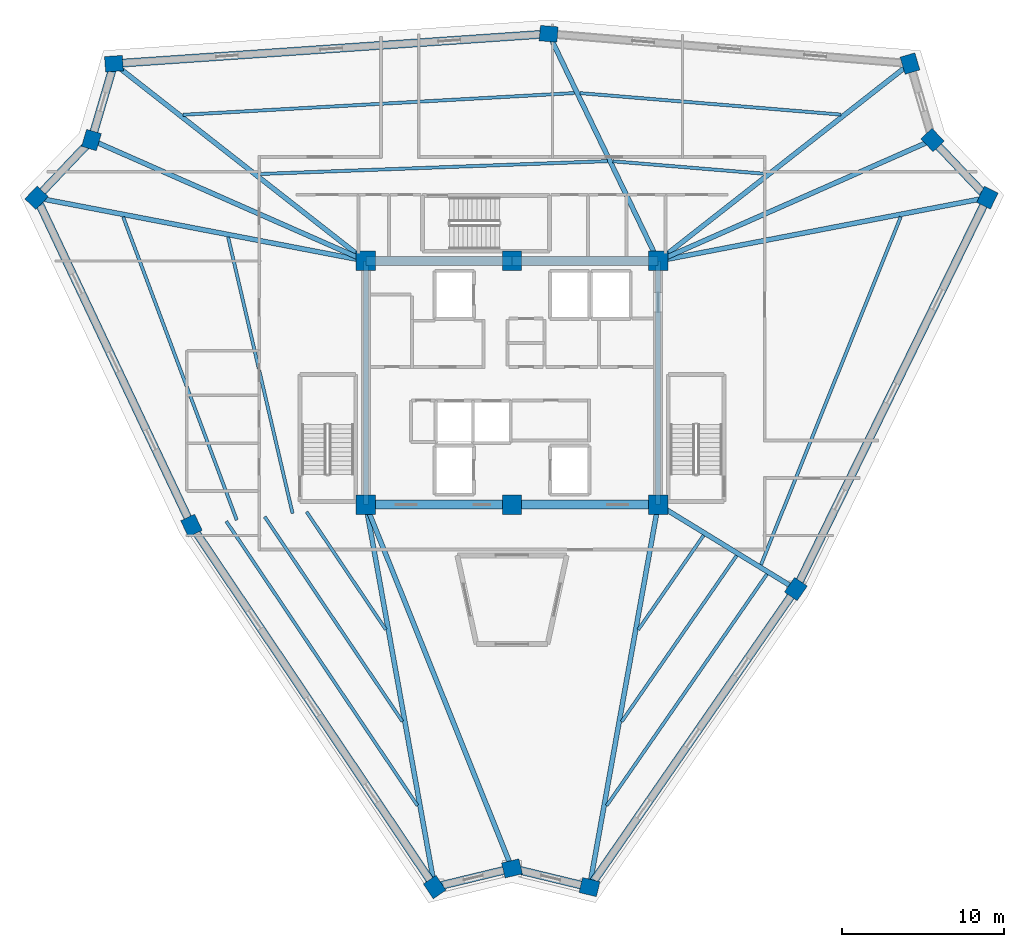
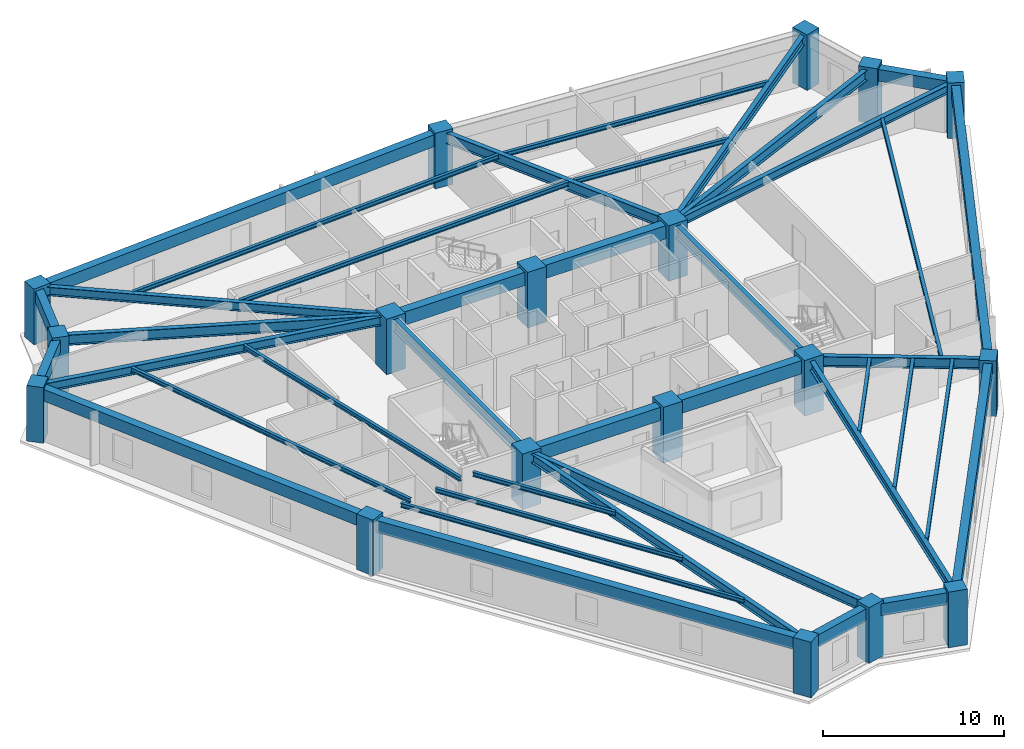
# One storey, part 1 of 9: 40 beams, 18 columns.
"""IFC4 building model written with IfcOpenShell, lengths in metres."""

from ifc_helpers import new_model, si_unit, direction, frame, origin, origin_2d, place, context, subcontext, project, spatial, rectangle, i_section, extrude, source, transform, mapped, material, material_profile, profile_set, type_object, element, save


model = new_model("IFC4")

# Units and contexts
model_context = context("Model", 3, precision=1e-05, world=origin(), true_north=direction((0.0, 1.0)))
body_context = subcontext(model_context, "Body", "Model", "MODEL_VIEW")
ifc_project = project(units=[si_unit("LENGTHUNIT", "METRE"), si_unit("AREAUNIT", "SQUARE_METRE"), si_unit("VOLUMEUNIT", "CUBIC_METRE"), si_unit("PLANEANGLEUNIT", "RADIAN"), si_unit("MASSUNIT", "GRAM", prefix="KILO")], contexts=[model_context])

# Site, building, storey
site_placement = place(None, origin())
site = spatial("IfcSite", under=ifc_project, at=site_placement, CompositionType="ELEMENT")
building_placement = place(site_placement, origin())
building = spatial("IfcBuilding", under=site, at=building_placement, Name="Liaohun Quay Tower", CompositionType="ELEMENT")
storey_placement = place(building_placement, frame((0.0, 0.0, 328.5)))
storey = spatial("IfcBuildingStorey", under=building, at=storey_placement, Name="L85", CompositionType="ELEMENT", Elevation=328.5)

# Columns
ifc_material_1 = material(Name="Concrete C50", Category="concrete")
ifc_material_profile_1 = material_profile(ifc_material_1, rectangle(XDim=1.199951171875, YDim=1.199951171875, at=origin_2d()), Name="RC1200x1200")
ifc_profile_set_1 = profile_set([ifc_material_profile_1], Name="Concrete C50")
column_type_1 = type_object("IfcColumnType", Name="COL-CC-Z4", PredefinedType="COLUMN", material=ifc_profile_set_1)
shared_shape_1 = source(origin(), body_context, "Body", "SweptSolid", [
    extrude(rectangle(XDim=1.199951171875, YDim=1.199951171875, at=origin_2d()), origin(), (0.0, 0.0, 1.0), 3.75),
])
for number, where, z_axis, x_axis, name in (
    (1, (51.0, 46.5, 0.0), (0.0, 0.0, 1.0), (1.0, 0.0, 0.0), "L85 Core Column CC1"),
    (2, (60.0, 46.5, 0.0), (0.0, 0.0, 1.0), (1.0, 0.0, 0.0), "L85 Core Column CC2"),
    (3, (69.0, 46.5, 0.0), (0.0, 0.0, 1.0), (1.0, 0.0, 0.0), "L85 Core Column CC3"),
    (4, (69.0, 61.5, 0.0), (0.0, 0.0, 1.0), (1.0, 0.0, 0.0), "L85 Core Column CC4"),
    (5, (60.0, 61.5, 0.0), (0.0, 0.0, 1.0), (1.0, 0.0, 0.0), "L85 Core Column CC5"),
    (6, (51.0, 61.5, 0.0), (0.0, 0.0, 1.0), (1.0, 0.0, 0.0), "L85 Core Column CC6"),
):
    element("IfcColumn", number, at=place(storey_placement, frame(where, z_axis=z_axis, x_axis=x_axis)), inside=storey, type_object=column_type_1, Name=name, PredefinedType="COLUMN", context=body_context, shape_type="MappedRepresentation", body=[
        mapped(shared_shape_1, transform((0.0, 0.0, 0.0), x_axis=(1.0, 0.0, 0.0), y_axis=(0.0, 1.0, 0.0), z_axis=(0.0, 0.0, 1.0), scale=1.0)),
    ])
ifc_material_profile_2 = material_profile(ifc_material_1, rectangle(XDim=1.10009765625, YDim=0.949951171875, at=origin_2d()), Name="RC1100x950")
ifc_profile_set_2 = profile_set([ifc_material_profile_2], Name="Concrete C50")
column_type_2 = type_object("IfcColumnType", Name="COL-PIER-Z4", PredefinedType="COLUMN", material=ifc_profile_set_2)
shared_shape_2 = source(origin(), body_context, "Body", "SweptSolid", [
    extrude(rectangle(XDim=1.10009765625, YDim=0.949951171875, at=origin_2d()), origin(), (0.0, 0.0, 1.0), 3.75),
])
for number, where, z_axis, x_axis, name in (
    (7, (55.238037109375, 22.9541015625, 0.0), (0.0, 0.0, 1.0), (-0.558179625922, 0.829720136676, 0.0), "L85 Perimeter Pier PC01"),
    (8, (40.264892578125, 45.212890625, 0.0), (0.0, 0.0, 1.0), (-0.427357863387, 0.904082549661, 0.0), "L85 Perimeter Pier PC02"),
    (9, (30.72705078125, 65.39306640625, 0.0), (0.0, 0.0, 1.0), (0.68936671806, 0.724412539946, 0.0), "L85 Perimeter Pier PC03"),
    (10, (34.10888671875, 68.947998046875, 0.0), (0.0, 0.0, 1.0), (0.282676303383, 0.959215360337, 0.0), "L85 Perimeter Pier PC04"),
    (11, (35.493896484375, 73.64697265625, 0.0), (0.0, 0.0, 1.0), (0.997648529354, 0.068537667585, 0.0), "L85 Perimeter Pier PC05"),
    (12, (62.258056640625, 75.485107421875, 0.0), (0.0, 0.0, 1.0), (-0.996637386818, 0.08193850863, 0.0), "L85 Perimeter Pier PC06"),
    (13, (84.5029296875, 73.655029296875, 0.0), (0.0, 0.0, 1.0), (-0.282676303383, 0.959215360337, 0.0), "L85 Perimeter Pier PC07"),
    (14, (85.89111328125, 68.947998046875, 0.0), (0.0, 0.0, 1.0), (-0.68936671806, 0.724412539946, 0.0), "L85 Perimeter Pier PC08"),
    (15, (89.26806640625, 65.39892578125, 0.0), (0.0, 0.0, 1.0), (0.439468903432, 0.898257804261, 0.0), "L85 Perimeter Pier PC09"),
    (16, (77.47705078125, 41.302001953125, 0.0), (0.0, 0.0, 1.0), (0.569279523431, 0.822144041031, 0.0), "L85 Perimeter Pier PC10"),
    (17, (64.77001953125, 22.951904296875, 0.0), (0.0, 0.0, 1.0), (-0.972043021443, 0.234802820391, 0.0), "L85 Perimeter Pier PC11"),
    (18, (60.0, 24.10400390625, 0.0), (0.0, 0.0, 1.0), (0.972043021443, 0.234802820391, 0.0), "L85 Perimeter Pier PC12"),
):
    element("IfcColumn", number, at=place(storey_placement, frame(where, z_axis=z_axis, x_axis=x_axis)), inside=storey, type_object=column_type_2, Name=name, PredefinedType="COLUMN", context=body_context, shape_type="MappedRepresentation", body=[
        mapped(shared_shape_2, transform((0.0, 0.0, 0.0), x_axis=(1.0, 0.0, 0.0), y_axis=(0.0, 1.0, 0.0), z_axis=(0.0, 0.0, 1.0), scale=1.0)),
    ])

# Beams
ifc_material_2 = material(Name="Steel Q355D", Category="steel")
ifc_material_profile_3 = material_profile(ifc_material_2, i_section(OverallWidth=0.300048828125, OverallDepth=0.800048828125, WebThickness=0.013916015625, FlangeThickness=0.02587890625, at=origin_2d()), Name="HN800x300x14x26")
ifc_profile_set_3 = profile_set([ifc_material_profile_3], Name="Steel Q355D")
beam_type_1 = type_object("IfcBeamType", Name="BM-RAD-M1", PredefinedType="BEAM", material=ifc_profile_set_3)
shared_shape_3 = source(origin(), body_context, "Body", "SweptSolid", [
    extrude(i_section(OverallWidth=0.300048828125, OverallDepth=0.800048828125, WebThickness=0.013916015625, FlangeThickness=0.02587890625, at=origin_2d()), origin(), (0.0, 0.0, 1.0), 15.0),
])
for number, where, z_axis, x_axis, name in (
    (19, (69.0, 46.5, 3.169921875), (0.0, 1.0, 0.0), (-1.0, 0.0, 0.0), "L85 Core Coupling/Ring Beam CC3-CC4"),
    (20, (51.0, 61.5, 3.169921875), (0.0, -1.0, 0.0), (1.0, 0.0, 0.0), "L85 Core Coupling/Ring Beam CC6-CC1"),
):
    element("IfcBeam", number, at=place(storey_placement, frame(where, z_axis=z_axis, x_axis=x_axis)), inside=storey, type_object=beam_type_1, Name=name, PredefinedType="BEAM", context=body_context, shape_type="MappedRepresentation", body=[
        mapped(shared_shape_3, transform((0.0, 0.0, 0.0), x_axis=(1.0, 0.0, 0.0), y_axis=(0.0, 1.0, 0.0), z_axis=(0.0, 0.0, 1.0), scale=1.0)),
    ])
ifc_material_3 = material(Name="Concrete C55", Category="concrete")
ifc_material_profile_4 = material_profile(ifc_material_3, rectangle(XDim=0.550048828125, YDim=0.89990234375, at=origin_2d()), Name="RC550x900")
ifc_profile_set_4 = profile_set([ifc_material_profile_4], Name="Concrete C55")
beam_type_2 = type_object("IfcBeamType", Name="BM-CPL-2", PredefinedType="LINTEL", material=ifc_profile_set_4)
shared_shape_4 = source(origin(), body_context, "Body", "SweptSolid", [
    extrude(rectangle(XDim=0.550048828125, YDim=0.89990234375, at=origin_2d()), origin(), (0.0, 0.0, 1.0), 9.0),
])
for number, where, z_axis, x_axis, name in (
    (21, (51.0, 46.5, 3.1201171875), (1.0, 0.0, 0.0), (0.0, 1.0, 0.0), "L85 Core Coupling/Ring Beam CC1-CC2"),
    (22, (60.0, 46.5, 3.1201171875), (1.0, 0.0, 0.0), (0.0, 1.0, 0.0), "L85 Core Coupling/Ring Beam CC2-CC3"),
    (23, (69.0, 61.5, 3.1201171875), (-1.0, 0.0, 0.0), (0.0, -1.0, 0.0), "L85 Core Coupling/Ring Beam CC4-CC5"),
    (24, (60.0, 61.5, 3.1201171875), (-1.0, 0.0, 0.0), (0.0, -1.0, 0.0), "L85 Core Coupling/Ring Beam CC5-CC6"),
):
    element("IfcBeam", number, at=place(storey_placement, frame(where, z_axis=z_axis, x_axis=x_axis)), inside=storey, type_object=beam_type_2, Name=name, PredefinedType="LINTEL", context=body_context, shape_type="MappedRepresentation", body=[
        mapped(shared_shape_4, transform((0.0, 0.0, 0.0), x_axis=(1.0, 0.0, 0.0), y_axis=(0.0, 1.0, 0.0), z_axis=(0.0, 0.0, 1.0), scale=1.0)),
    ])
ifc_material_profile_5 = material_profile(ifc_material_2, i_section(OverallWidth=0.300048828125, OverallDepth=0.587890625, WebThickness=0.011962890625, FlangeThickness=0.02001953125, at=origin_2d()), Name="HM588x300x12x20")
ifc_profile_set_5 = profile_set([ifc_material_profile_5], Name="Steel Q355D")
beam_type_3 = type_object("IfcBeamType", Name="BM-RAD-U2", PredefinedType="BEAM", material=ifc_profile_set_5)
shared_shape_5 = source(origin(), body_context, "Body", "SweptSolid", [
    extrude(i_section(OverallWidth=0.300048828125, OverallDepth=0.587890625, WebThickness=0.011962890625, FlangeThickness=0.02001953125, at=origin_2d()), origin(), (0.0, 0.0, 1.0), 23.92431640625),
])
beam_1_placement = place(storey_placement, frame((51.0, 46.5, 3.27587890625), z_axis=(0.177143904593, -0.9841849608, 0.0), x_axis=(0.9841849608, 0.177143904593, 0.0)))
element("IfcBeam", 25, at=beam_1_placement, inside=storey, type_object=beam_type_3, Name="L85 Radial Primary Girder CC1-PC01", PredefinedType="BEAM", context=body_context, shape_type="MappedRepresentation", body=[
    mapped(shared_shape_5, transform((0.0, 0.0, 0.0), x_axis=(1.0, 0.0, 0.0), y_axis=(0.0, 1.0, 0.0), z_axis=(0.0, 0.0, 1.0), scale=1.0)),
])
shared_shape_6 = source(origin(), body_context, "Body", "SweptSolid", [
    extrude(i_section(OverallWidth=0.300048828125, OverallDepth=0.587890625, WebThickness=0.011962890625, FlangeThickness=0.02001953125, at=origin_2d()), origin(), (0.0, 0.0, 1.0), 20.643310546875),
])
beam_2_placement = place(storey_placement, frame((51.0, 61.5, 3.27587890625), z_axis=(-0.982056519371, 0.188586830823, 0.0), x_axis=(-0.188586830823, -0.982056519371, 0.0)))
element("IfcBeam", 26, at=beam_2_placement, inside=storey, type_object=beam_type_3, Name="L85 Radial Primary Girder CC6-PC03", PredefinedType="BEAM", context=body_context, shape_type="MappedRepresentation", body=[
    mapped(shared_shape_6, transform((0.0, 0.0, 0.0), x_axis=(1.0, 0.0, 0.0), y_axis=(0.0, 1.0, 0.0), z_axis=(0.0, 0.0, 1.0), scale=1.0)),
])
ifc_material_profile_6 = material_profile(ifc_material_2, i_section(OverallWidth=0.300048828125, OverallDepth=0.699951171875, WebThickness=0.012939453125, FlangeThickness=0.02392578125, at=origin_2d()), Name="HN700x300x13x24")
ifc_profile_set_6 = profile_set([ifc_material_profile_6], Name="Steel Q355D")
beam_type_4 = type_object("IfcBeamType", Name="BM-RAD-U1", PredefinedType="BEAM", material=ifc_profile_set_6)
shared_shape_7 = source(origin(), body_context, "Body", "SweptSolid", [
    extrude(i_section(OverallWidth=0.300048828125, OverallDepth=0.699951171875, WebThickness=0.012939453125, FlangeThickness=0.02392578125, at=origin_2d()), origin(), (0.0, 0.0, 1.0), 18.460205078125),
])
for number, where, z_axis, x_axis, name in (
    (27, (51.0, 61.5, 3.219970703125), (-0.91499707752, 0.403460466625, 0.0), (-0.403460466625, -0.91499707752, 0.0), "L85 Radial Primary Girder CC6-PC04"),
    (28, (69.0, 61.5, 3.219970703125), (0.91499707752, 0.403460466625, 0.0), (-0.403460466625, 0.91499707752, 0.0), "L85 Radial Primary Girder CC4-PC08"),
):
    element("IfcBeam", number, at=place(storey_placement, frame(where, z_axis=z_axis, x_axis=x_axis)), inside=storey, type_object=beam_type_4, Name=name, PredefinedType="BEAM", context=body_context, shape_type="MappedRepresentation", body=[
        mapped(shared_shape_7, transform((0.0, 0.0, 0.0), x_axis=(1.0, 0.0, 0.0), y_axis=(0.0, 1.0, 0.0), z_axis=(0.0, 0.0, 1.0), scale=1.0)),
    ])
shared_shape_8 = source(origin(), body_context, "Body", "SweptSolid", [
    extrude(i_section(OverallWidth=0.300048828125, OverallDepth=0.587890625, WebThickness=0.011962890625, FlangeThickness=0.02001953125, at=origin_2d()), origin(), (0.0, 0.0, 1.0), 19.697509765625),
])
beam_3_placement = place(storey_placement, frame((51.0, 61.5, 3.27587890625), z_axis=(-0.78721511685, 0.616678489817, 0.0), x_axis=(-0.616678489817, -0.78721511685, 0.0)))
element("IfcBeam", 29, at=beam_3_placement, inside=storey, type_object=beam_type_3, Name="L85 Radial Primary Girder CC6-PC05", PredefinedType="BEAM", context=body_context, shape_type="MappedRepresentation", body=[
    mapped(shared_shape_8, transform((0.0, 0.0, 0.0), x_axis=(1.0, 0.0, 0.0), y_axis=(0.0, 1.0, 0.0), z_axis=(0.0, 0.0, 1.0), scale=1.0)),
])
shared_shape_9 = source(origin(), body_context, "Body", "SweptSolid", [
    extrude(i_section(OverallWidth=0.300048828125, OverallDepth=0.699951171875, WebThickness=0.012939453125, FlangeThickness=0.02392578125, at=origin_2d()), origin(), (0.0, 0.0, 1.0), 15.525390625),
])
beam_4_placement = place(storey_placement, frame((69.0, 61.5, 3.219970703125), z_axis=(-0.43425338855, 0.900790760684, 0.0), x_axis=(-0.900790760684, -0.43425338855, 0.0)))
element("IfcBeam", 30, at=beam_4_placement, inside=storey, type_object=beam_type_4, Name="L85 Radial Primary Girder CC4-PC06", PredefinedType="BEAM", context=body_context, shape_type="MappedRepresentation", body=[
    mapped(shared_shape_9, transform((0.0, 0.0, 0.0), x_axis=(1.0, 0.0, 0.0), y_axis=(0.0, 1.0, 0.0), z_axis=(0.0, 0.0, 1.0), scale=1.0)),
])
shared_shape_10 = source(origin(), body_context, "Body", "SweptSolid", [
    extrude(i_section(OverallWidth=0.300048828125, OverallDepth=0.587890625, WebThickness=0.011962890625, FlangeThickness=0.02001953125, at=origin_2d()), origin(), (0.0, 0.0, 1.0), 19.699951171875),
])
beam_5_placement = place(storey_placement, frame((69.0, 61.5, 3.27587890625), z_axis=(0.786955241021, 0.617010087948, 0.0), x_axis=(-0.617010087948, 0.786955241021, 0.0)))
element("IfcBeam", 31, at=beam_5_placement, inside=storey, type_object=beam_type_3, Name="L85 Radial Primary Girder CC4-PC07", PredefinedType="BEAM", context=body_context, shape_type="MappedRepresentation", body=[
    mapped(shared_shape_10, transform((0.0, 0.0, 0.0), x_axis=(1.0, 0.0, 0.0), y_axis=(0.0, 1.0, 0.0), z_axis=(0.0, 0.0, 1.0), scale=1.0)),
])
shared_shape_11 = source(origin(), body_context, "Body", "SweptSolid", [
    extrude(i_section(OverallWidth=0.300048828125, OverallDepth=0.587890625, WebThickness=0.011962890625, FlangeThickness=0.02001953125, at=origin_2d()), origin(), (0.0, 0.0, 1.0), 20.6396484375),
])
beam_6_placement = place(storey_placement, frame((69.0, 61.5, 3.27587890625), z_axis=(0.981995477195, 0.188904427604, 0.0), x_axis=(-0.188904427604, 0.981995477195, 0.0)))
element("IfcBeam", 32, at=beam_6_placement, inside=storey, type_object=beam_type_3, Name="L85 Radial Primary Girder CC4-PC09", PredefinedType="BEAM", context=body_context, shape_type="MappedRepresentation", body=[
    mapped(shared_shape_11, transform((0.0, 0.0, 0.0), x_axis=(1.0, 0.0, 0.0), y_axis=(0.0, 1.0, 0.0), z_axis=(0.0, 0.0, 1.0), scale=1.0)),
])
shared_shape_12 = source(origin(), body_context, "Body", "SweptSolid", [
    extrude(i_section(OverallWidth=0.300048828125, OverallDepth=0.699951171875, WebThickness=0.012939453125, FlangeThickness=0.02392578125, at=origin_2d()), origin(), (0.0, 0.0, 1.0), 9.94384765625),
])
beam_7_placement = place(storey_placement, frame((69.0, 46.5, 3.219970703125), z_axis=(0.852494316391, -0.522736492433, 0.0), x_axis=(0.522736492433, 0.852494316391, 0.0)))
element("IfcBeam", 33, at=beam_7_placement, inside=storey, type_object=beam_type_4, Name="L85 Radial Primary Girder CC3-PC10", PredefinedType="BEAM", context=body_context, shape_type="MappedRepresentation", body=[
    mapped(shared_shape_12, transform((0.0, 0.0, 0.0), x_axis=(1.0, 0.0, 0.0), y_axis=(0.0, 1.0, 0.0), z_axis=(0.0, 0.0, 1.0), scale=1.0)),
])
shared_shape_13 = source(origin(), body_context, "Body", "SweptSolid", [
    extrude(i_section(OverallWidth=0.300048828125, OverallDepth=0.587890625, WebThickness=0.011962890625, FlangeThickness=0.02001953125, at=origin_2d()), origin(), (0.0, 0.0, 1.0), 23.925048828125),
])
beam_8_placement = place(storey_placement, frame((69.0, 46.5, 3.27587890625), z_axis=(-0.176801703683, -0.984246492285, 0.0), x_axis=(0.984246492285, -0.176801703683, 0.0)))
element("IfcBeam", 34, at=beam_8_placement, inside=storey, type_object=beam_type_3, Name="L85 Radial Primary Girder CC3-PC11", PredefinedType="BEAM", context=body_context, shape_type="MappedRepresentation", body=[
    mapped(shared_shape_13, transform((0.0, 0.0, 0.0), x_axis=(1.0, 0.0, 0.0), y_axis=(0.0, 1.0, 0.0), z_axis=(0.0, 0.0, 1.0), scale=1.0)),
])
shared_shape_14 = source(origin(), body_context, "Body", "SweptSolid", [
    extrude(i_section(OverallWidth=0.300048828125, OverallDepth=0.699951171875, WebThickness=0.012939453125, FlangeThickness=0.02392578125, at=origin_2d()), origin(), (0.0, 0.0, 1.0), 24.13671875),
])
beam_9_placement = place(storey_placement, frame((51.0, 46.5, 3.219970703125), z_axis=(0.372876046209, -0.927881163816, 0.0), x_axis=(0.927881163816, 0.372876046209, 0.0)))
element("IfcBeam", 35, at=beam_9_placement, inside=storey, type_object=beam_type_4, Name="L85 Radial Primary Girder CC1-PC12", PredefinedType="BEAM", context=body_context, shape_type="MappedRepresentation", body=[
    mapped(shared_shape_14, transform((0.0, 0.0, 0.0), x_axis=(1.0, 0.0, 0.0), y_axis=(0.0, 1.0, 0.0), z_axis=(0.0, 0.0, 1.0), scale=1.0)),
])
ifc_material_profile_7 = material_profile(ifc_material_2, i_section(OverallWidth=0.199951171875, OverallDepth=0.2939453125, WebThickness=0.008056640625, FlangeThickness=0.011962890625, at=origin_2d()), Name="HM294x200x8x12")
ifc_profile_set_7 = profile_set([ifc_material_profile_7], Name="Steel Q355D")
beam_type_5 = type_object("IfcBeamType", Name="BM-SEC-J4", PredefinedType="JOIST", material=ifc_profile_set_7)
shared_shape_15 = source(origin(), body_context, "Body", "SweptSolid", [
    extrude(i_section(OverallWidth=0.199951171875, OverallDepth=0.2939453125, WebThickness=0.008056640625, FlangeThickness=0.011962890625, at=origin_2d()), origin(), (0.0, 0.0, 1.0), 8.74755859375),
])
beam_10_placement = place(storey_placement, frame((52.23291015625, 38.803955078125, 3.423095703125), z_axis=(-0.558186124533, 0.829715764813, 0.0), x_axis=(-0.829715764813, -0.558186124533, 0.0)))
element("IfcBeam", 36, at=beam_10_placement, inside=storey, type_object=beam_type_5, Name="L85 Wing Secondary Floor Joist SJ-01", PredefinedType="JOIST", context=body_context, shape_type="MappedRepresentation", body=[
    mapped(shared_shape_15, transform((0.0, 0.0, 0.0), x_axis=(1.0, 0.0, 0.0), y_axis=(0.0, 1.0, 0.0), z_axis=(0.0, 0.0, 1.0), scale=1.0)),
])
shared_shape_16 = source(origin(), body_context, "Body", "SweptSolid", [
    extrude(i_section(OverallWidth=0.199951171875, OverallDepth=0.2939453125, WebThickness=0.008056640625, FlangeThickness=0.011962890625, at=origin_2d()), origin(), (0.0, 0.0, 1.0), 15.186279296875),
])
beam_11_placement = place(storey_placement, frame((53.25, 33.153076171875, 3.423095703125), z_axis=(-0.558138257053, 0.829747965357, 0.0), x_axis=(-0.829747965357, -0.558138257053, 0.0)))
element("IfcBeam", 37, at=beam_11_placement, inside=storey, type_object=beam_type_5, Name="L85 Wing Secondary Floor Joist SJ-02", PredefinedType="JOIST", context=body_context, shape_type="MappedRepresentation", body=[
    mapped(shared_shape_16, transform((0.0, 0.0, 0.0), x_axis=(1.0, 0.0, 0.0), y_axis=(0.0, 1.0, 0.0), z_axis=(0.0, 0.0, 1.0), scale=1.0)),
])
shared_shape_17 = source(origin(), body_context, "Body", "SweptSolid", [
    extrude(i_section(OverallWidth=0.199951171875, OverallDepth=0.2939453125, WebThickness=0.008056640625, FlangeThickness=0.011962890625, at=origin_2d()), origin(), (0.0, 0.0, 1.0), 21.08740234375),
])
beam_12_placement = place(storey_placement, frame((54.181884765625, 27.972900390625, 3.423095703125), z_axis=(-0.558144665099, 0.829743654885, 0.0), x_axis=(-0.829743654885, -0.558144665099, 0.0)))
element("IfcBeam", 38, at=beam_12_placement, inside=storey, type_object=beam_type_5, Name="L85 Wing Secondary Floor Joist SJ-03", PredefinedType="JOIST", context=body_context, shape_type="MappedRepresentation", body=[
    mapped(shared_shape_17, transform((0.0, 0.0, 0.0), x_axis=(1.0, 0.0, 0.0), y_axis=(0.0, 1.0, 0.0), z_axis=(0.0, 0.0, 1.0), scale=1.0)),
])
shared_shape_18 = source(origin(), body_context, "Body", "SweptSolid", [
    extrude(i_section(OverallWidth=0.199951171875, OverallDepth=0.2939453125, WebThickness=0.008056640625, FlangeThickness=0.011962890625, at=origin_2d()), origin(), (0.0, 0.0, 1.0), 17.47265625),
])
beam_13_placement = place(storey_placement, frame((46.490966796875, 45.958984375, 3.423095703125), z_axis=(-0.227098867626, 0.973871708349, 0.0), x_axis=(-0.973871708349, -0.227098867626, 0.0)))
element("IfcBeam", 39, at=beam_13_placement, inside=storey, type_object=beam_type_5, Name="L85 Wing Secondary Floor Joist SJ-04", PredefinedType="JOIST", context=body_context, shape_type="MappedRepresentation", body=[
    mapped(shared_shape_18, transform((0.0, 0.0, 0.0), x_axis=(1.0, 0.0, 0.0), y_axis=(0.0, 1.0, 0.0), z_axis=(0.0, 0.0, 1.0), scale=1.0)),
])
shared_shape_19 = source(origin(), body_context, "Body", "SweptSolid", [
    extrude(i_section(OverallWidth=0.199951171875, OverallDepth=0.2939453125, WebThickness=0.008056640625, FlangeThickness=0.011962890625, at=origin_2d()), origin(), (0.0, 0.0, 1.0), 19.935791015625),
])
beam_14_placement = place(storey_placement, frame((43.055908203125, 45.548095703125, 3.423095703125), z_axis=(-0.350919439098, 0.936405653156, 0.0), x_axis=(-0.936405653156, -0.350919439098, 0.0)))
element("IfcBeam", 40, at=beam_14_placement, inside=storey, type_object=beam_type_5, Name="L85 Wing Secondary Floor Joist SJ-05", PredefinedType="JOIST", context=body_context, shape_type="MappedRepresentation", body=[
    mapped(shared_shape_19, transform((0.0, 0.0, 0.0), x_axis=(1.0, 0.0, 0.0), y_axis=(0.0, 1.0, 0.0), z_axis=(0.0, 0.0, 1.0), scale=1.0)),
])
shared_shape_20 = source(origin(), body_context, "Body", "SweptSolid", [
    extrude(i_section(OverallWidth=0.199951171875, OverallDepth=0.2939453125, WebThickness=0.008056640625, FlangeThickness=0.011962890625, at=origin_2d()), origin(), (0.0, 0.0, 1.0), 21.474853515625),
])
beam_15_placement = place(storey_placement, frame((44.409912109375, 66.85302734375, 3.423095703125), z_axis=(0.999316343564, 0.036970873474, 0.0), x_axis=(-0.036970873474, 0.999316343564, 0.0)))
element("IfcBeam", 41, at=beam_15_placement, inside=storey, type_object=beam_type_5, Name="L85 Wing Secondary Floor Joist SJ-06", PredefinedType="JOIST", context=body_context, shape_type="MappedRepresentation", body=[
    mapped(shared_shape_20, transform((0.0, 0.0, 0.0), x_axis=(1.0, 0.0, 0.0), y_axis=(0.0, 1.0, 0.0), z_axis=(0.0, 0.0, 1.0), scale=1.0)),
])
shared_shape_21 = source(origin(), body_context, "Body", "SweptSolid", [
    extrude(i_section(OverallWidth=0.199951171875, OverallDepth=0.2939453125, WebThickness=0.008056640625, FlangeThickness=0.011962890625, at=origin_2d()), origin(), (0.0, 0.0, 1.0), 24.13330078125),
])
beam_16_placement = place(storey_placement, frame((39.7529296875, 70.5009765625, 3.423095703125), z_axis=(0.998459356977, 0.055487948824, 0.0), x_axis=(-0.055487948824, 0.998459356977, 0.0)))
element("IfcBeam", 42, at=beam_16_placement, inside=storey, type_object=beam_type_5, Name="L85 Wing Secondary Floor Joist SJ-07", PredefinedType="JOIST", context=body_context, shape_type="MappedRepresentation", body=[
    mapped(shared_shape_21, transform((0.0, 0.0, 0.0), x_axis=(1.0, 0.0, 0.0), y_axis=(0.0, 1.0, 0.0), z_axis=(0.0, 0.0, 1.0), scale=1.0)),
])
shared_shape_22 = source(origin(), body_context, "Body", "SweptSolid", [
    extrude(i_section(OverallWidth=0.199951171875, OverallDepth=0.2939453125, WebThickness=0.008056640625, FlangeThickness=0.011962890625, at=origin_2d()), origin(), (0.0, 0.0, 1.0), 9.42578125),
])
beam_17_placement = place(storey_placement, frame((66.20703125, 67.638916015625, 3.423095703125), z_axis=(0.996632027891, -0.08200366444, 0.0), x_axis=(0.08200366444, 0.996632027891, 0.0)))
element("IfcBeam", 43, at=beam_17_placement, inside=storey, type_object=beam_type_5, Name="L85 Wing Secondary Floor Joist SJ-08", PredefinedType="JOIST", context=body_context, shape_type="MappedRepresentation", body=[
    mapped(shared_shape_22, transform((0.0, 0.0, 0.0), x_axis=(1.0, 0.0, 0.0), y_axis=(0.0, 1.0, 0.0), z_axis=(0.0, 0.0, 1.0), scale=1.0)),
])
shared_shape_23 = source(origin(), body_context, "Body", "SweptSolid", [
    extrude(i_section(OverallWidth=0.199951171875, OverallDepth=0.2939453125, WebThickness=0.008056640625, FlangeThickness=0.011962890625, at=origin_2d()), origin(), (0.0, 0.0, 1.0), 16.1220703125),
])
beam_18_placement = place(storey_placement, frame((64.18408203125, 71.8349609375, 3.423095703125), z_axis=(0.99663230945, -0.082000242436, 0.0), x_axis=(0.082000242436, 0.99663230945, 0.0)))
element("IfcBeam", 44, at=beam_18_placement, inside=storey, type_object=beam_type_5, Name="L85 Wing Secondary Floor Joist SJ-09", PredefinedType="JOIST", context=body_context, shape_type="MappedRepresentation", body=[
    mapped(shared_shape_23, transform((0.0, 0.0, 0.0), x_axis=(1.0, 0.0, 0.0), y_axis=(0.0, 1.0, 0.0), z_axis=(0.0, 0.0, 1.0), scale=1.0)),
])
shared_shape_24 = source(origin(), body_context, "Body", "SweptSolid", [
    extrude(i_section(OverallWidth=0.199951171875, OverallDepth=0.2939453125, WebThickness=0.008056640625, FlangeThickness=0.011962890625, at=origin_2d()), origin(), (0.0, 0.0, 1.0), 23.08740234375),
])
beam_19_placement = place(storey_placement, frame((83.931884765625, 64.219970703125, 3.423095703125), z_axis=(-0.372577288252, -0.928001166098, 0.0), x_axis=(0.928001166098, -0.372577288252, 0.0)))
element("IfcBeam", 45, at=beam_19_placement, inside=storey, type_object=beam_type_5, Name="L85 Wing Secondary Floor Joist SJ-11", PredefinedType="JOIST", context=body_context, shape_type="MappedRepresentation", body=[
    mapped(shared_shape_24, transform((0.0, 0.0, 0.0), x_axis=(1.0, 0.0, 0.0), y_axis=(0.0, 1.0, 0.0), z_axis=(0.0, 0.0, 1.0), scale=1.0)),
])
shared_shape_25 = source(origin(), body_context, "Body", "SweptSolid", [
    extrude(i_section(OverallWidth=0.199951171875, OverallDepth=0.2939453125, WebThickness=0.008056640625, FlangeThickness=0.011962890625, at=origin_2d()), origin(), (0.0, 0.0, 1.0), 7.076904296875),
])
beam_20_placement = place(storey_placement, frame((71.797119140625, 44.60888671875, 3.423095703125), z_axis=(-0.569333754087, -0.822106487298, 0.0), x_axis=(0.822106487298, -0.569333754087, 0.0)))
element("IfcBeam", 46, at=beam_20_placement, inside=storey, type_object=beam_type_5, Name="L85 Wing Secondary Floor Joist SJ-12", PredefinedType="JOIST", context=body_context, shape_type="MappedRepresentation", body=[
    mapped(shared_shape_25, transform((0.0, 0.0, 0.0), x_axis=(1.0, 0.0, 0.0), y_axis=(0.0, 1.0, 0.0), z_axis=(0.0, 0.0, 1.0), scale=1.0)),
])
shared_shape_26 = source(origin(), body_context, "Body", "SweptSolid", [
    extrude(i_section(OverallWidth=0.199951171875, OverallDepth=0.2939453125, WebThickness=0.008056640625, FlangeThickness=0.011962890625, at=origin_2d()), origin(), (0.0, 0.0, 1.0), 12.434814453125),
])
beam_21_placement = place(storey_placement, frame((73.8310546875, 43.362060546875, 3.423095703125), z_axis=(-0.569293693231, -0.822134229216, 0.0), x_axis=(0.822134229216, -0.569293693231, 0.0)))
element("IfcBeam", 47, at=beam_21_placement, inside=storey, type_object=beam_type_5, Name="L85 Wing Secondary Floor Joist SJ-13", PredefinedType="JOIST", context=body_context, shape_type="MappedRepresentation", body=[
    mapped(shared_shape_26, transform((0.0, 0.0, 0.0), x_axis=(1.0, 0.0, 0.0), y_axis=(0.0, 1.0, 0.0), z_axis=(0.0, 0.0, 1.0), scale=1.0)),
])
shared_shape_27 = source(origin(), body_context, "Body", "SweptSolid", [
    extrude(i_section(OverallWidth=0.199951171875, OverallDepth=0.2939453125, WebThickness=0.008056640625, FlangeThickness=0.011962890625, at=origin_2d()), origin(), (0.0, 0.0, 1.0), 17.343994140625),
])
beam_22_placement = place(storey_placement, frame((75.696044921875, 42.218017578125, 3.423095703125), z_axis=(-0.56930293525, -0.822127829425, 0.0), x_axis=(0.822127829425, -0.56930293525, 0.0)))
element("IfcBeam", 48, at=beam_22_placement, inside=storey, type_object=beam_type_5, Name="L85 Wing Secondary Floor Joist SJ-14", PredefinedType="JOIST", context=body_context, shape_type="MappedRepresentation", body=[
    mapped(shared_shape_27, transform((0.0, 0.0, 0.0), x_axis=(1.0, 0.0, 0.0), y_axis=(0.0, 1.0, 0.0), z_axis=(0.0, 0.0, 1.0), scale=1.0)),
])
ifc_material_4 = material(Name="Precast concrete C50", Category="concrete")
ifc_material_profile_8 = material_profile(ifc_material_4, rectangle(XDim=0.5, YDim=0.800048828125, at=origin_2d()), Name="RC500x800")
ifc_profile_set_8 = profile_set([ifc_material_profile_8], Name="Precast concrete C50")
beam_type_6 = type_object("IfcBeamType", Name="BM-SPD-Z4", PredefinedType="SPANDREL", material=ifc_profile_set_8)
shared_shape_28 = source(origin(), body_context, "Body", "SweptSolid", [
    extrude(rectangle(XDim=0.5, YDim=0.800048828125, at=origin_2d()), origin(), (0.0, 0.0, 1.0), 26.826171875),
])
beam_23_placement = place(storey_placement, frame((55.238037109375, 22.9541015625, 3.169921875), z_axis=(-0.558152314182, 0.829738509516, 0.0), x_axis=(-0.829738509516, -0.558152314182, 0.0)))
element("IfcBeam", 49, at=beam_23_placement, inside=storey, type_object=beam_type_6, Name="L85 Precast Spandrel Beam PC01-PC02", PredefinedType="SPANDREL", context=body_context, shape_type="MappedRepresentation", body=[
    mapped(shared_shape_28, transform((0.0, 0.0, 0.0), x_axis=(1.0, 0.0, 0.0), y_axis=(0.0, 1.0, 0.0), z_axis=(0.0, 0.0, 1.0), scale=1.0)),
])
shared_shape_29 = source(origin(), body_context, "Body", "SweptSolid", [
    extrude(rectangle(XDim=0.5, YDim=0.800048828125, at=origin_2d()), origin(), (0.0, 0.0, 1.0), 22.320556640625),
])
beam_24_placement = place(storey_placement, frame((40.264892578125, 45.212890625, 3.169921875), z_axis=(-0.427310858512, 0.904104767269, 0.0), x_axis=(-0.904104767269, -0.427310858512, 0.0)))
element("IfcBeam", 50, at=beam_24_placement, inside=storey, type_object=beam_type_6, Name="L85 Precast Spandrel Beam PC02-PC03", PredefinedType="SPANDREL", context=body_context, shape_type="MappedRepresentation", body=[
    mapped(shared_shape_29, transform((0.0, 0.0, 0.0), x_axis=(1.0, 0.0, 0.0), y_axis=(0.0, 1.0, 0.0), z_axis=(0.0, 0.0, 1.0), scale=1.0)),
])
shared_shape_30 = source(origin(), body_context, "Body", "SweptSolid", [
    extrude(rectangle(XDim=0.5, YDim=0.800048828125, at=origin_2d()), origin(), (0.0, 0.0, 1.0), 4.906494140625),
])
beam_25_placement = place(storey_placement, frame((30.72705078125, 65.39306640625, 3.169921875), z_axis=(0.689247532922, 0.724525940433, 0.0), x_axis=(-0.724525940433, 0.689247532922, 0.0)))
element("IfcBeam", 51, at=beam_25_placement, inside=storey, type_object=beam_type_6, Name="L85 Precast Spandrel Beam PC03-PC04", PredefinedType="SPANDREL", context=body_context, shape_type="MappedRepresentation", body=[
    mapped(shared_shape_30, transform((0.0, 0.0, 0.0), x_axis=(1.0, 0.0, 0.0), y_axis=(0.0, 1.0, 0.0), z_axis=(0.0, 0.0, 1.0), scale=1.0)),
])
shared_shape_31 = source(origin(), body_context, "Body", "SweptSolid", [
    extrude(rectangle(XDim=0.5, YDim=0.800048828125, at=origin_2d()), origin(), (0.0, 0.0, 1.0), 4.89892578125),
])
for number, where, z_axis, x_axis, name in (
    (52, (34.10888671875, 68.947998046875, 3.169921875), (0.282722095729, 0.959201864357, 0.0), (-0.959201864357, 0.282722095729, 0.0), "L85 Precast Spandrel Beam PC04-PC05"),
    (53, (85.89111328125, 68.947998046875, 3.169921875), (0.689321599918, -0.724455472673, 0.0), (0.724455472673, 0.689321599918, 0.0), "L85 Precast Spandrel Beam PC08-PC09"),
    (54, (60.0, 24.10400390625, 3.169921875), (-0.972060645991, -0.234729845815, 0.0), (0.234729845815, -0.972060645991, 0.0), "L85 Precast Spandrel Beam PC12-PC01"),
):
    element("IfcBeam", number, at=place(storey_placement, frame(where, z_axis=z_axis, x_axis=x_axis)), inside=storey, type_object=beam_type_6, Name=name, PredefinedType="SPANDREL", context=body_context, shape_type="MappedRepresentation", body=[
        mapped(shared_shape_31, transform((0.0, 0.0, 0.0), x_axis=(1.0, 0.0, 0.0), y_axis=(0.0, 1.0, 0.0), z_axis=(0.0, 0.0, 1.0), scale=1.0)),
    ])
shared_shape_32 = source(origin(), body_context, "Body", "SweptSolid", [
    extrude(rectangle(XDim=0.5, YDim=0.800048828125, at=origin_2d()), origin(), (0.0, 0.0, 1.0), 26.8271484375),
])
for number, where, z_axis, x_axis, name in (
    (55, (35.493896484375, 73.64697265625, 3.169921875), (0.997649910436, 0.068517561305, 0.0), (-0.068517561305, 0.997649910436, 0.0), "L85 Precast Spandrel Beam PC05-PC06"),
    (56, (89.26806640625, 65.39892578125, 3.169921875), (-0.439519901632, -0.898232851809, 0.0), (0.898232851809, -0.439519901632, 0.0), "L85 Precast Spandrel Beam PC09-PC10"),
):
    element("IfcBeam", number, at=place(storey_placement, frame(where, z_axis=z_axis, x_axis=x_axis)), inside=storey, type_object=beam_type_6, Name=name, PredefinedType="SPANDREL", context=body_context, shape_type="MappedRepresentation", body=[
        mapped(shared_shape_32, transform((0.0, 0.0, 0.0), x_axis=(1.0, 0.0, 0.0), y_axis=(0.0, 1.0, 0.0), z_axis=(0.0, 0.0, 1.0), scale=1.0)),
    ])
shared_shape_33 = source(origin(), body_context, "Body", "SweptSolid", [
    extrude(rectangle(XDim=0.5, YDim=0.800048828125, at=origin_2d()), origin(), (0.0, 0.0, 1.0), 22.3203125),
])
beam_26_placement = place(storey_placement, frame((77.47705078125, 41.302001953125, 3.169921875), z_axis=(-0.569304392452, -0.822126820348, 0.0), x_axis=(0.822126820348, -0.569304392452, 0.0)))
element("IfcBeam", 57, at=beam_26_placement, inside=storey, type_object=beam_type_6, Name="L85 Precast Spandrel Beam PC10-PC11", PredefinedType="SPANDREL", context=body_context, shape_type="MappedRepresentation", body=[
    mapped(shared_shape_33, transform((0.0, 0.0, 0.0), x_axis=(1.0, 0.0, 0.0), y_axis=(0.0, 1.0, 0.0), z_axis=(0.0, 0.0, 1.0), scale=1.0)),
])
shared_shape_34 = source(origin(), body_context, "Body", "SweptSolid", [
    extrude(rectangle(XDim=0.5, YDim=0.800048828125, at=origin_2d()), origin(), (0.0, 0.0, 1.0), 4.9072265625),
])
beam_27_placement = place(storey_placement, frame((64.77001953125, 22.951904296875, 3.169921875), z_axis=(-0.972048937831, 0.234778326217, 0.0), x_axis=(-0.234778326217, -0.972048937831, 0.0)))
element("IfcBeam", 58, at=beam_27_placement, inside=storey, type_object=beam_type_6, Name="L85 Precast Spandrel Beam PC11-PC12", PredefinedType="SPANDREL", context=body_context, shape_type="MappedRepresentation", body=[
    mapped(shared_shape_34, transform((0.0, 0.0, 0.0), x_axis=(1.0, 0.0, 0.0), y_axis=(0.0, 1.0, 0.0), z_axis=(0.0, 0.0, 1.0), scale=1.0)),
])

save(model, "model.ifc")
